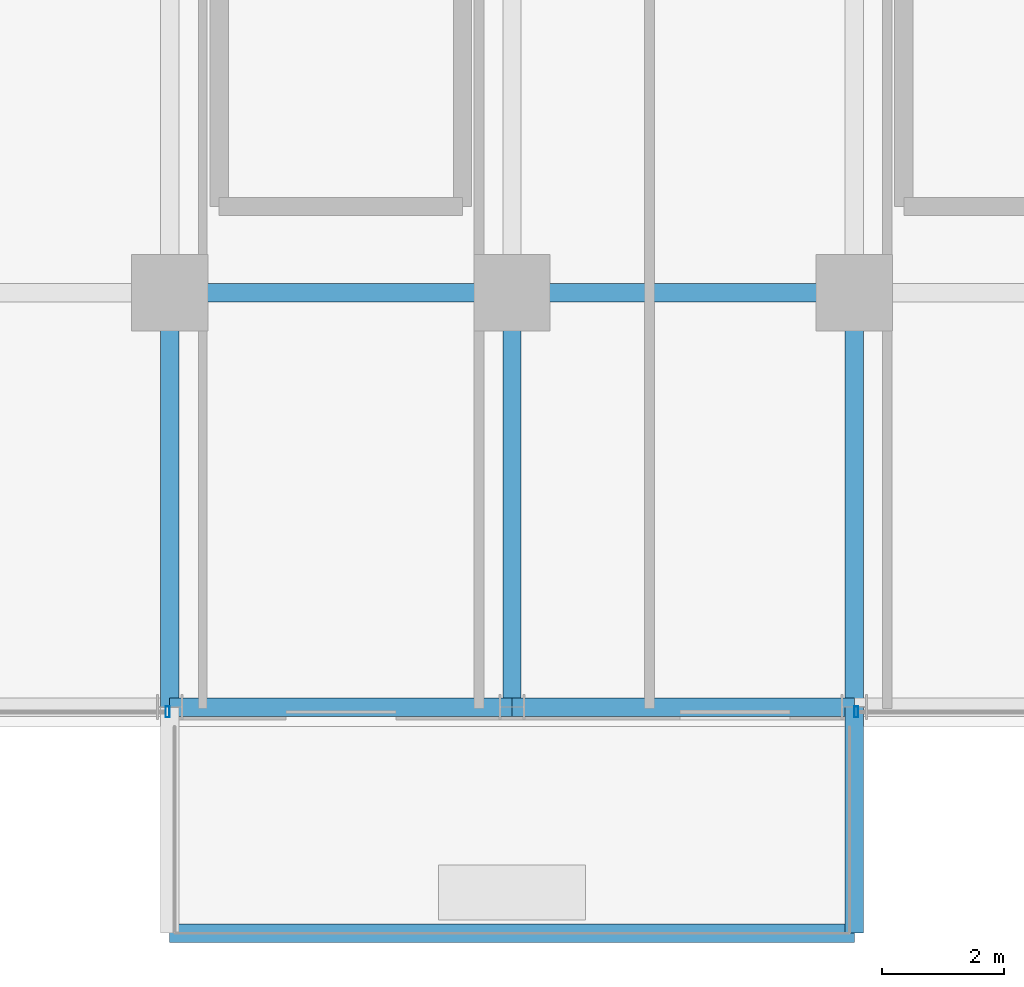
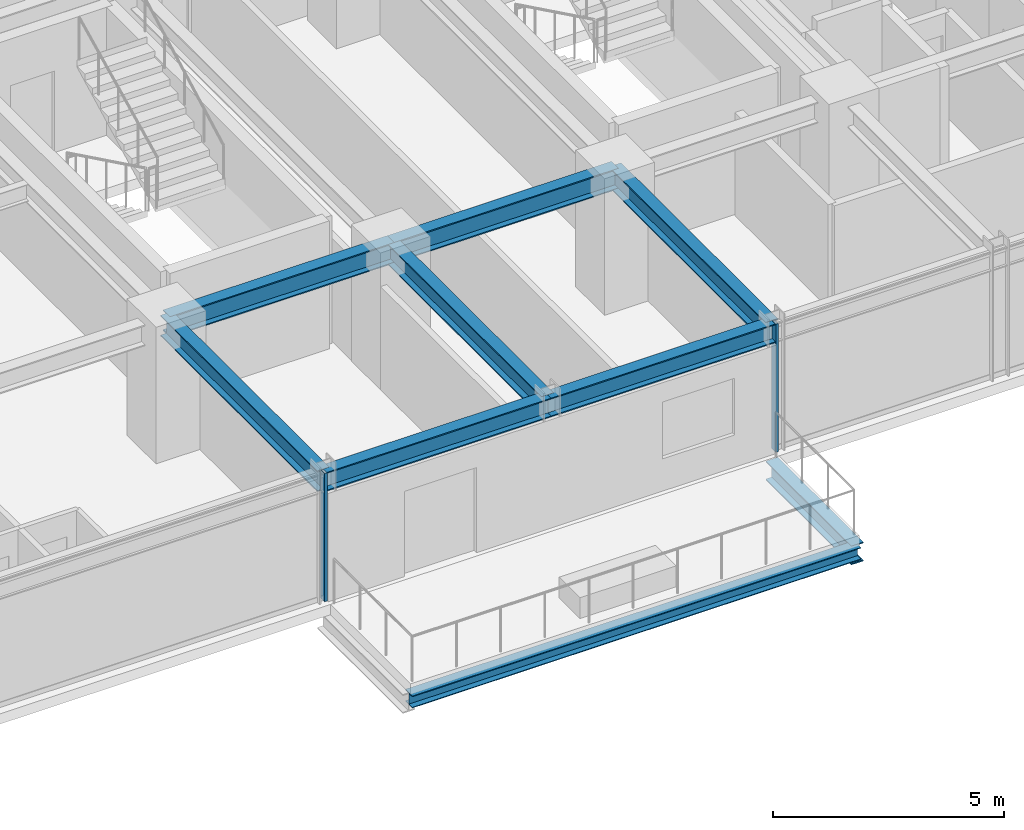
# One storey, part 5 of 31: 9 beams, 2 members, 2 elements without a shape of their own.
"""IFC4 building model written with IfcOpenShell, lengths in metres."""

from ifc_helpers import new_model, si_unit, direction, frame, origin, origin_2d, place, context, subcontext, project, spatial, hollow_rectangle, i_section, extrude, source, transform, mapped, material, material_profile, profile_set, type_object, element, aggregate, save


model = new_model("IFC4")

# Units and contexts
model_context = context("Model", 3, precision=1e-05, world=origin(), true_north=direction((0.0, 1.0)))
body_context = subcontext(model_context, "Body", "Model", "MODEL_VIEW")
ifc_project = project(units=[si_unit("LENGTHUNIT", "METRE"), si_unit("AREAUNIT", "SQUARE_METRE"), si_unit("VOLUMEUNIT", "CUBIC_METRE"), si_unit("PLANEANGLEUNIT", "RADIAN"), si_unit("MASSUNIT", "GRAM", prefix="KILO")], contexts=[model_context])

# Site, building, storey
site_placement = place(None, origin())
site = spatial("IfcSite", under=ifc_project, at=site_placement, CompositionType="ELEMENT")
building_placement = place(site_placement, origin())
building = spatial("IfcBuilding", under=site, at=building_placement, Name="Nahalor Promenade Grand Hotel", CompositionType="ELEMENT")
storey_placement = place(building_placement, frame((0.0, 0.0, 95.60009765625)))
storey = spatial("IfcBuildingStorey", under=building, at=storey_placement, Name="L23", CompositionType="ELEMENT", Elevation=95.60009765625)

# Beams
ifc_material_1 = material(Name="Steel S355JR", Category="steel")
ifc_material_profile_1 = material_profile(ifc_material_1, i_section(OverallWidth=0.3, OverallDepth=0.32, WebThickness=0.0115, FlangeThickness=0.0205, at=origin_2d()), Name="HEB 320")
ifc_profile_set_1 = profile_set([ifc_material_profile_1], Name="Steel S355JR")
beam_type_1 = type_object("IfcBeamType", Name="Beam-BalcEdge-HEB320", PredefinedType="SPANDREL", material=ifc_profile_set_1)
shared_shape_1 = source(origin(), body_context, "Body", "SweptSolid", [
    extrude(i_section(OverallWidth=0.3, OverallDepth=0.32, WebThickness=0.0115, FlangeThickness=0.0205, at=origin_2d()), origin(), (0.0, 0.0, 1.0), 11.199951171875),
])
beam_1_placement = place(storey_placement, frame((-8.39990234375, -27.47998046875, -0.440185546875), z_axis=(1.0, 0.0, 0.0), x_axis=(0.0, 1.0, 0.0)))
element("IfcBeam", 1, at=beam_1_placement, inside=storey, type_object=beam_type_1, Name="BM-L23-BC-01-F", PredefinedType="SPANDREL", context=body_context, shape_type="MappedRepresentation", body=[
    mapped(shared_shape_1, transform((0.0, 0.0, 0.0), scale=1.0)),
])
ifc_material_profile_2 = material_profile(ifc_material_1, i_section(OverallWidth=0.3, OverallDepth=0.5, WebThickness=0.0145, FlangeThickness=0.028, at=origin_2d()), Name="HEB 500")
ifc_profile_set_2 = profile_set([ifc_material_profile_2], Name="Steel S355JR")
beam_type_2 = type_object("IfcBeamType", Name="Beam-Outrigger-HEB500", PredefinedType="BEAM", material=ifc_profile_set_2)
shared_shape_2 = source(origin(), body_context, "Body", "SweptSolid", [
    extrude(i_section(OverallWidth=0.3, OverallDepth=0.5, WebThickness=0.0145, FlangeThickness=0.028, at=origin_2d()), origin(), (0.0, 0.0, 1.0), 3.699951171875),
])
beam_2_placement = place(storey_placement, frame((2.800048828125, -27.47998046875, -0.530029296875), z_axis=(0.0, 1.0, 0.0), x_axis=(-1.0, 0.0, 0.0)))
element("IfcBeam", 2, at=beam_2_placement, inside=storey, type_object=beam_type_2, Name="BM-L23-BC-01-2", PredefinedType="BEAM", context=body_context, shape_type="MappedRepresentation", body=[
    mapped(shared_shape_2, transform((0.0, 0.0, 0.0), scale=1.0)),
])
ifc_material_profile_3 = material_profile(ifc_material_1, i_section(OverallWidth=0.3, OverallDepth=0.5, WebThickness=0.0145, FlangeThickness=0.028, at=origin_2d()), Name="HEB 500")
ifc_profile_set_3 = profile_set([ifc_material_profile_3], Name="Steel S355JR")
beam_type_3 = type_object("IfcBeamType", Name="Beam-Spandrel-HEB500", PredefinedType="SPANDREL", material=ifc_profile_set_3)
shared_shape_3 = source(origin(), body_context, "Body", "SweptSolid", [
    extrude(i_section(OverallWidth=0.3, OverallDepth=0.5, WebThickness=0.0145, FlangeThickness=0.028, at=origin_2d()), origin(), (0.0, 0.0, 1.0), 5.599853515625),
])
beam_3_placement = place(storey_placement, frame((-8.39990234375, -23.780029296875, 3.1298828125), z_axis=(1.0, 0.0, 0.0), x_axis=(0.0, 1.0, 0.0)))
element("IfcBeam", 3, at=beam_3_placement, inside=storey, type_object=beam_type_3, Name="BM-L23-SP-S-1", PredefinedType="SPANDREL", context=body_context, shape_type="MappedRepresentation", body=[
    mapped(shared_shape_3, transform((0.0, 0.0, 0.0), scale=1.0)),
])
shared_shape_4 = source(origin(), body_context, "Body", "SweptSolid", [
    extrude(i_section(OverallWidth=0.3, OverallDepth=0.5, WebThickness=0.0145, FlangeThickness=0.028, at=origin_2d()), origin(), (0.0, 0.0, 1.0), 5.60009765625),
])
beam_4_placement = place(storey_placement, frame((-2.800048828125, -23.780029296875, 3.1298828125), z_axis=(1.0, 0.0, 0.0), x_axis=(0.0, 1.0, 0.0)))
element("IfcBeam", 4, at=beam_4_placement, inside=storey, type_object=beam_type_3, Name="BM-L23-SP-S-2", PredefinedType="SPANDREL", context=body_context, shape_type="MappedRepresentation", body=[
    mapped(shared_shape_4, transform((0.0, 0.0, 0.0), scale=1.0)),
])
ifc_material_profile_4 = material_profile(ifc_material_1, i_section(OverallWidth=0.3, OverallDepth=0.55, WebThickness=0.015, FlangeThickness=0.029, at=origin_2d()), Name="HEB 550")
ifc_profile_set_4 = profile_set([ifc_material_profile_4], Name="Steel S355JR")
beam_type_4 = type_object("IfcBeamType", Name="Beam-Girder-HEB550", PredefinedType="BEAM", material=ifc_profile_set_4)
shared_shape_5 = source(origin(), body_context, "Body", "SweptSolid", [
    extrude(i_section(OverallWidth=0.3, OverallDepth=0.55, WebThickness=0.015, FlangeThickness=0.029, at=origin_2d()), origin(), (0.0, 0.0, 1.0), 6.780029296875),
])
for number, where, z_axis, x_axis, name in (
    (5, (-8.39990234375, -23.780029296875, 3.10498046875), (0.0, 1.0, 0.0), (-1.0, 0.0, 0.0), "BM-L23-GY-1-0"),
    (6, (-2.800048828125, -23.780029296875, 3.10498046875), (0.0, 1.0, 0.0), (-1.0, 0.0, 0.0), "BM-L23-GY-2-0"),
    (7, (2.800048828125, -23.780029296875, 3.10498046875), (0.0, 1.0, 0.0), (-1.0, 0.0, 0.0), "BM-L23-GY-3-0"),
):
    element("IfcBeam", number, at=place(storey_placement, frame(where, z_axis=z_axis, x_axis=x_axis)), inside=storey, type_object=beam_type_4, Name=name, PredefinedType="BEAM", context=body_context, shape_type="MappedRepresentation", body=[
        mapped(shared_shape_5, transform((0.0, 0.0, 0.0), scale=1.0)),
    ])
shared_shape_6 = source(origin(), body_context, "Body", "SweptSolid", [
    extrude(i_section(OverallWidth=0.3, OverallDepth=0.55, WebThickness=0.015, FlangeThickness=0.029, at=origin_2d()), origin(), (0.0, 0.0, 1.0), 5.599853515625),
])
beam_5_placement = place(storey_placement, frame((-8.39990234375, -17.0, 3.10498046875), z_axis=(1.0, 0.0, 0.0), x_axis=(0.0, 1.0, 0.0)))
element("IfcBeam", 8, at=beam_5_placement, inside=storey, type_object=beam_type_4, Name="BM-L23-GX-0-2", PredefinedType="BEAM", context=body_context, shape_type="MappedRepresentation", body=[
    mapped(shared_shape_6, transform((0.0, 0.0, 0.0), scale=1.0)),
])
shared_shape_7 = source(origin(), body_context, "Body", "SweptSolid", [
    extrude(i_section(OverallWidth=0.3, OverallDepth=0.55, WebThickness=0.015, FlangeThickness=0.029, at=origin_2d()), origin(), (0.0, 0.0, 1.0), 5.60009765625),
])
beam_6_placement = place(storey_placement, frame((-2.800048828125, -17.0, 3.10498046875), z_axis=(1.0, 0.0, 0.0), x_axis=(0.0, 1.0, 0.0)))
element("IfcBeam", 9, at=beam_6_placement, inside=storey, type_object=beam_type_4, Name="BM-L23-GX-0-3", PredefinedType="BEAM", context=body_context, shape_type="MappedRepresentation", body=[
    mapped(shared_shape_7, transform((0.0, 0.0, 0.0), scale=1.0)),
])

# Curtain wall, member
ifc_material_2 = material(Name="Anodised Bronze Aluminium EN AW-6063 T6", Category="aluminium")
curtain_wall_type = type_object("IfcCurtainWallType", Name="CW2 Typical Hotel Flush Bronze Unitised Curtain Wall", PredefinedType="USERDEFINED", material=ifc_material_2)
curtain_wall_1_placement = place(storey_placement, origin())
curtain_wall_1 = element("IfcCurtainWall", 10, at=curtain_wall_1_placement, inside=storey, type_object=curtain_wall_type, Name="L23 Curtain Wall CW-L23-S-1", ObjectType="UNITISED_CURTAIN_WALL", PredefinedType="USERDEFINED")
ifc_material_profile_5 = material_profile(ifc_material_2, hollow_rectangle(XDim=0.065, YDim=0.18, WallThickness=0.004, at=origin_2d()), Name="CWM 65x180x4")
ifc_profile_set_5 = profile_set([ifc_material_profile_5], Name="Anodised Bronze Aluminium EN AW-6063 T6")
member_type = type_object("IfcMemberType", Name="CWM2 Typical Bronze Mullion 65x180", PredefinedType="MULLION", material=ifc_profile_set_5)
shared_shape_8 = source(origin(), body_context, "Body", "SweptSolid", [
    extrude(hollow_rectangle(XDim=0.065, YDim=0.18, WallThickness=0.004, at=origin_2d()), origin(), (0.0, 0.0, 1.0), 3.3798828125),
])
member_1_placement = place(storey_placement, frame((-8.4326171875, -23.860107421875, 0.0), z_axis=(0.0, 0.0, 1.0), x_axis=(1.0, 0.0, 0.0)))
member_1 = element("IfcMember", 11, at=member_1_placement, type_object=member_type, Name="CW-L23-S-1 Mullion 1", PredefinedType="MULLION", context=body_context, shape_type="MappedRepresentation", body=[
    mapped(shared_shape_8, transform((0.0, 0.0, 0.0), scale=1.0)),
])
aggregate(curtain_wall_1, [member_1])

curtain_wall_2_placement = place(storey_placement, origin())
curtain_wall_2 = element("IfcCurtainWall", 12, at=curtain_wall_2_placement, inside=storey, type_object=curtain_wall_type, Name="L23 Curtain Wall CW-L23-S-3", ObjectType="UNITISED_CURTAIN_WALL", PredefinedType="USERDEFINED")
member_2_placement = place(storey_placement, frame((2.83251953125, -23.860107421875, 0.0), z_axis=(0.0, 0.0, 1.0), x_axis=(1.0, 0.0, 0.0)))
member_2 = element("IfcMember", 13, at=member_2_placement, type_object=member_type, Name="CW-L23-S-3 Mullion 0", PredefinedType="MULLION", context=body_context, shape_type="MappedRepresentation", body=[
    mapped(shared_shape_8, transform((0.0, 0.0, 0.0), scale=1.0)),
])
aggregate(curtain_wall_2, [member_2])

save(model, "model.ifc")
